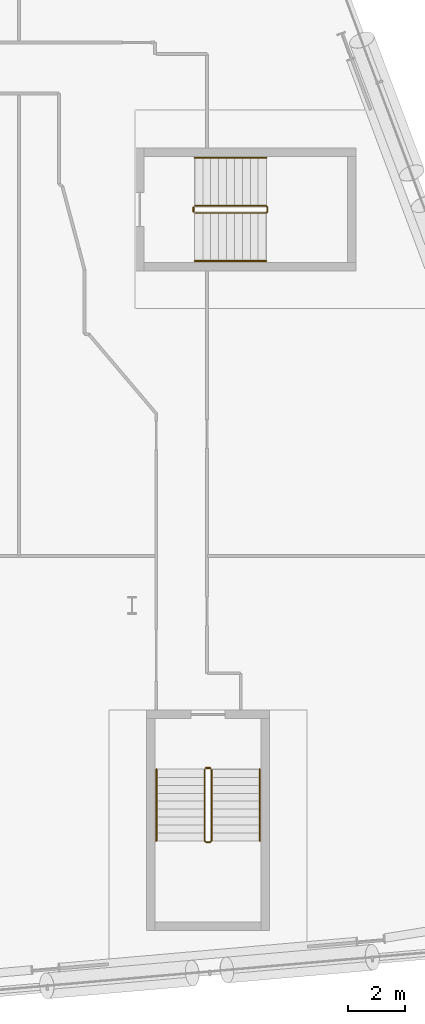
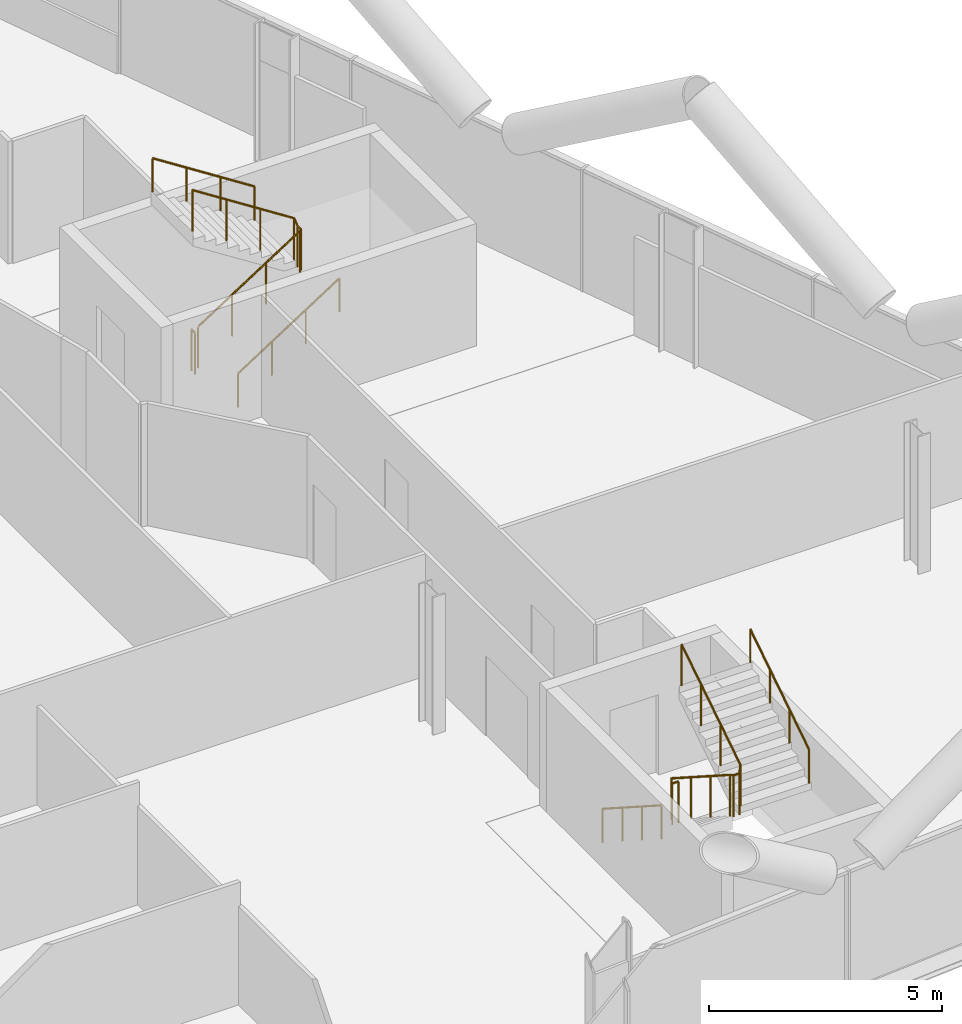
# One storey, part 27 of 27: 8 railings.
"""IFC4 building model written with IfcOpenShell, lengths in metres."""

from ifc_helpers import new_model, si_unit, direction, frame, origin, origin_2d, place, context, subcontext, project, spatial, circle, extrude, material, type_object, element, save


model = new_model("IFC4")

# Units and contexts
model_context = context("Model", 3, precision=1e-05, world=origin(), true_north=direction((0.0, 1.0)))
body_context = subcontext(model_context, "Body", "Model", "MODEL_VIEW")
ifc_project = project(units=[si_unit("LENGTHUNIT", "METRE"), si_unit("AREAUNIT", "SQUARE_METRE"), si_unit("VOLUMEUNIT", "CUBIC_METRE"), si_unit("PLANEANGLEUNIT", "RADIAN"), si_unit("MASSUNIT", "GRAM", prefix="KILO")], contexts=[model_context])

# Site, building, storey
site_placement = place(None, origin())
site = spatial("IfcSite", under=ifc_project, at=site_placement, CompositionType="ELEMENT")
building_placement = place(site_placement, origin())
building = spatial("IfcBuilding", under=site, at=building_placement, Name="Wharfspan Tower", CompositionType="ELEMENT")
storey_placement = place(building_placement, frame((0.0, 0.0, 77.5)))
storey = spatial("IfcBuildingStorey", under=building, at=storey_placement, Name="L16", CompositionType="ELEMENT", Elevation=77.5)

# Railings
ifc_material = material(Name="Steel S355J2", Category="steel")
railing_type_1 = type_object("IfcRailingType", Name="Stair guard 1100", PredefinedType="GUARDRAIL", material=ifc_material)
railing_1_placement = place(storey_placement, frame((74.567383, 5.691895, 0.179932)))
element("IfcRailing", 1, at=railing_1_placement, inside=storey, type_object=railing_type_1, Name="L16 ST5 stair guard 1", PredefinedType="GUARDRAIL", context=body_context, shape_type="SweptSolid", body=[
    extrude(circle(Radius=0.023926, at=origin_2d()), frame((0.0, 0.0, 1.076172), z_axis=(0.0, -0.841139, 0.540819), x_axis=(1.0, 0.0, 0.0)), (0.0, 0.0, 1.0), 2.995605),
    extrude(circle(Radius=0.023926, at=origin_2d()), frame((0.0, -2.519775, 2.696289), z_axis=(0.707107, -0.707107, 0.0), x_axis=(0.707107, 0.707107, 0.0)), (0.0, 0.0, 1.0), 0.070801),
    extrude(circle(Radius=0.023926, at=origin_2d()), frame((0.050049, -2.569824, 2.696289), z_axis=(1.0, 0.0, 0.0), x_axis=(0.0, 1.0, 0.0)), (0.0, 0.0, 1.0), 0.150146),
    extrude(circle(Radius=0.023926, at=origin_2d()), frame((0.200195, -2.569824, 2.696289), z_axis=(0.257669, 0.258932, 0.930892), x_axis=(-0.708833, 0.705372, 1e-06)), (0.0, 0.0, 1.0), 0.193359),
    extrude(circle(Radius=0.023926, at=origin_2d()), frame((0.25, -2.519775, 2.875977), z_axis=(0.0, 0.841139, 0.540819), x_axis=(-1.0, 0.0, 0.0)), (0.0, 0.0, 1.0), 2.995605),
    extrude(circle(Radius=0.020996, at=origin_2d()), origin(), (0.0, 0.0, 1.0), 1.052002),
    extrude(circle(Radius=0.020996, at=origin_2d()), frame((0.0, -0.839844, 0.540039)), (0.0, 0.0, 1.0), 1.052002),
    extrude(circle(Radius=0.020996, at=origin_2d()), frame((0.0, -1.679932, 1.080078)), (0.0, 0.0, 1.0), 1.052002),
    extrude(circle(Radius=0.020996, at=origin_2d()), frame((0.0, -2.519775, 1.620117)), (0.0, 0.0, 1.0), 1.052002),
    extrude(circle(Radius=0.020996, at=origin_2d()), frame((0.050049, -2.569824, 1.620117)), (0.0, 0.0, 1.0), 1.052002),
    extrude(circle(Radius=0.020996, at=origin_2d()), frame((0.200195, -2.569824, 1.620117)), (0.0, 0.0, 1.0), 1.052002),
    extrude(circle(Radius=0.020996, at=origin_2d()), frame((0.25, -2.519775, 1.800049)), (0.0, 0.0, 1.0), 1.052002),
    extrude(circle(Radius=0.020996, at=origin_2d()), frame((0.25, -1.679932, 2.340088)), (0.0, 0.0, 1.0), 1.052002),
    extrude(circle(Radius=0.020996, at=origin_2d()), frame((0.25, -0.839844, 2.880127)), (0.0, 0.0, 1.0), 1.052002),
    extrude(circle(Radius=0.020996, at=origin_2d()), frame((0.25, 0.0, 3.420166)), (0.0, 0.0, 1.0), 1.052002),
])
railing_2_placement = place(storey_placement, frame((74.617432, 5.741943, 0.0)))
element("IfcRailing", 2, at=railing_2_placement, inside=storey, type_object=railing_type_1, Name="L16 ST5 stair guard 2", PredefinedType="GUARDRAIL", context=body_context, shape_type="SweptSolid", body=[
    extrude(circle(Radius=0.023926, at=origin_2d()), frame((0.0, 0.0, 1.076172), z_axis=(1.0, 0.0, 0.0), x_axis=(0.0, 1.0, 0.0)), (0.0, 0.0, 1.0), 0.150146),
    extrude(circle(Radius=0.020996, at=origin_2d()), origin(), (0.0, 0.0, 1.0), 1.052002),
    extrude(circle(Radius=0.020996, at=origin_2d()), frame((0.150146, 0.0, 0.0)), (0.0, 0.0, 1.0), 1.052002),
])
railing_3_placement = place(storey_placement, frame((74.225098, 25.375, 0.179932)))
element("IfcRailing", 3, at=railing_3_placement, inside=storey, type_object=railing_type_1, Name="L16 ST6 stair guard 1", PredefinedType="GUARDRAIL", context=body_context, shape_type="SweptSolid", body=[
    extrude(circle(Radius=0.023926, at=origin_2d()), frame((0.0, 0.0, 1.076172), z_axis=(0.841163, 0.0, 0.540782), x_axis=(0.0, 1.0, 0.0)), (0.0, 0.0, 1.0), 2.99585),
    extrude(circle(Radius=0.023926, at=origin_2d()), frame((2.52002, 0.0, 2.696289), z_axis=(0.705376, 0.708834, 0.0), x_axis=(-0.708834, 0.705376, 0.0)), (0.0, 0.0, 1.0), 0.070557),
    extrude(circle(Radius=0.023926, at=origin_2d()), frame((2.569824, 0.050049, 2.696289), z_axis=(0.0, 1.0, 0.0), x_axis=(-1.0, 0.0, 0.0)), (0.0, 0.0, 1.0), 0.149902),
    extrude(circle(Radius=0.023926, at=origin_2d()), frame((2.569824, 0.199951, 2.696289), z_axis=(-0.257669, 0.258932, 0.930892), x_axis=(-0.708833, -0.705372, -1e-06)), (0.0, 0.0, 1.0), 0.193359),
    extrude(circle(Radius=0.023926, at=origin_2d()), frame((2.52002, 0.25, 2.875977), z_axis=(-0.841163, 0.0, 0.540782), x_axis=(0.0, -1.0, 0.0)), (0.0, 0.0, 1.0), 2.99585),
    extrude(circle(Radius=0.020996, at=origin_2d()), origin(), (0.0, 0.0, 1.0), 1.052002),
    extrude(circle(Radius=0.020996, at=origin_2d()), frame((0.840088, 0.0, 0.540039)), (0.0, 0.0, 1.0), 1.052002),
    extrude(circle(Radius=0.020996, at=origin_2d()), frame((1.679932, 0.0, 1.080078)), (0.0, 0.0, 1.0), 1.052002),
    extrude(circle(Radius=0.020996, at=origin_2d()), frame((2.52002, 0.0, 1.620117)), (0.0, 0.0, 1.0), 1.052002),
    extrude(circle(Radius=0.020996, at=origin_2d()), frame((2.569824, 0.050049, 1.620117)), (0.0, 0.0, 1.0), 1.052002),
    extrude(circle(Radius=0.020996, at=origin_2d()), frame((2.569824, 0.199951, 1.620117)), (0.0, 0.0, 1.0), 1.052002),
    extrude(circle(Radius=0.020996, at=origin_2d()), frame((2.52002, 0.25, 1.800049)), (0.0, 0.0, 1.0), 1.052002),
    extrude(circle(Radius=0.020996, at=origin_2d()), frame((1.679932, 0.25, 2.340088)), (0.0, 0.0, 1.0), 1.052002),
    extrude(circle(Radius=0.020996, at=origin_2d()), frame((0.840088, 0.25, 2.880127)), (0.0, 0.0, 1.0), 1.052002),
    extrude(circle(Radius=0.020996, at=origin_2d()), frame((0.0, 0.25, 3.420166)), (0.0, 0.0, 1.0), 1.052002),
])
railing_4_placement = place(storey_placement, frame((74.175049, 25.425049, 0.0)))
element("IfcRailing", 4, at=railing_4_placement, inside=storey, type_object=railing_type_1, Name="L16 ST6 stair guard 2", PredefinedType="GUARDRAIL", context=body_context, shape_type="SweptSolid", body=[
    extrude(circle(Radius=0.023926, at=origin_2d()), frame((0.0, 0.0, 1.076172), z_axis=(0.0, 1.0, 0.0), x_axis=(-1.0, 0.0, 0.0)), (0.0, 0.0, 1.0), 0.149902),
    extrude(circle(Radius=0.020996, at=origin_2d()), origin(), (0.0, 0.0, 1.0), 1.052002),
    extrude(circle(Radius=0.020996, at=origin_2d()), frame((0.0, 0.149902, 0.0)), (0.0, 0.0, 1.0), 1.052002),
])
railing_type_2 = type_object("IfcRailingType", Name="Stair handrail 900", PredefinedType="HANDRAIL", material=ifc_material)
railing_5_placement = place(storey_placement, frame((72.867432, 5.691895, 0.179932)))
element("IfcRailing", 5, at=railing_5_placement, inside=storey, type_object=railing_type_2, Name="L16 ST5 stair handrail 1", PredefinedType="HANDRAIL", context=body_context, shape_type="SweptSolid", body=[
    extrude(circle(Radius=0.023926, at=origin_2d()), frame((0.0, 0.0, 0.875977), z_axis=(0.0, -0.841139, 0.540819), x_axis=(1.0, 0.0, 0.0)), (0.0, 0.0, 1.0), 2.995605),
    extrude(circle(Radius=0.020996, at=origin_2d()), origin(), (0.0, 0.0, 1.0), 0.851807),
    extrude(circle(Radius=0.020996, at=origin_2d()), frame((0.0, -0.839844, 0.540039)), (0.0, 0.0, 1.0), 0.851807),
    extrude(circle(Radius=0.020996, at=origin_2d()), frame((0.0, -1.679932, 1.080078)), (0.0, 0.0, 1.0), 0.851807),
    extrude(circle(Radius=0.020996, at=origin_2d()), frame((0.0, -2.519775, 1.620117)), (0.0, 0.0, 1.0), 0.851807),
])
railing_6_placement = place(storey_placement, frame((76.517578, 3.172119, 1.97998)))
element("IfcRailing", 6, at=railing_6_placement, inside=storey, type_object=railing_type_2, Name="L16 ST5 stair handrail 2", PredefinedType="HANDRAIL", context=body_context, shape_type="SweptSolid", body=[
    extrude(circle(Radius=0.023926, at=origin_2d()), frame((0.0, 0.0, 0.875977), z_axis=(0.0, 0.841139, 0.540819), x_axis=(-1.0, 0.0, 0.0)), (0.0, 0.0, 1.0), 2.995605),
    extrude(circle(Radius=0.020996, at=origin_2d()), origin(), (0.0, 0.0, 1.0), 0.851807),
    extrude(circle(Radius=0.020996, at=origin_2d()), frame((0.0, 0.839844, 0.540039)), (0.0, 0.0, 1.0), 0.851807),
    extrude(circle(Radius=0.020996, at=origin_2d()), frame((0.0, 1.679932, 1.080078)), (0.0, 0.0, 1.0), 0.851807),
    extrude(circle(Radius=0.020996, at=origin_2d()), frame((0.0, 2.519775, 1.620117)), (0.0, 0.0, 1.0), 0.851807),
])
railing_7_placement = place(storey_placement, frame((74.225098, 23.675049, 0.179932)))
element("IfcRailing", 7, at=railing_7_placement, inside=storey, type_object=railing_type_2, Name="L16 ST6 stair handrail 1", PredefinedType="HANDRAIL", context=body_context, shape_type="SweptSolid", body=[
    extrude(circle(Radius=0.023926, at=origin_2d()), frame((0.0, 0.0, 0.875977), z_axis=(0.841163, 0.0, 0.540782), x_axis=(0.0, 1.0, 0.0)), (0.0, 0.0, 1.0), 2.99585),
    extrude(circle(Radius=0.020996, at=origin_2d()), origin(), (0.0, 0.0, 1.0), 0.851807),
    extrude(circle(Radius=0.020996, at=origin_2d()), frame((0.840088, 0.0, 0.540039)), (0.0, 0.0, 1.0), 0.851807),
    extrude(circle(Radius=0.020996, at=origin_2d()), frame((1.679932, 0.0, 1.080078)), (0.0, 0.0, 1.0), 0.851807),
    extrude(circle(Radius=0.020996, at=origin_2d()), frame((2.52002, 0.0, 1.620117)), (0.0, 0.0, 1.0), 0.851807),
])
railing_8_placement = place(storey_placement, frame((76.745117, 27.324951, 1.97998)))
element("IfcRailing", 8, at=railing_8_placement, inside=storey, type_object=railing_type_2, Name="L16 ST6 stair handrail 2", PredefinedType="HANDRAIL", context=body_context, shape_type="SweptSolid", body=[
    extrude(circle(Radius=0.023926, at=origin_2d()), frame((0.0, 0.0, 0.875977), z_axis=(-0.841163, 0.0, 0.540782), x_axis=(0.0, -1.0, 0.0)), (0.0, 0.0, 1.0), 2.99585),
    extrude(circle(Radius=0.020996, at=origin_2d()), origin(), (0.0, 0.0, 1.0), 0.851807),
    extrude(circle(Radius=0.020996, at=origin_2d()), frame((-0.840088, 0.0, 0.540039)), (0.0, 0.0, 1.0), 0.851807),
    extrude(circle(Radius=0.020996, at=origin_2d()), frame((-1.679932, 0.0, 1.080078)), (0.0, 0.0, 1.0), 0.851807),
    extrude(circle(Radius=0.020996, at=origin_2d()), frame((-2.52002, 0.0, 1.620117)), (0.0, 0.0, 1.0), 0.851807),
])

save(model, "model.ifc")
